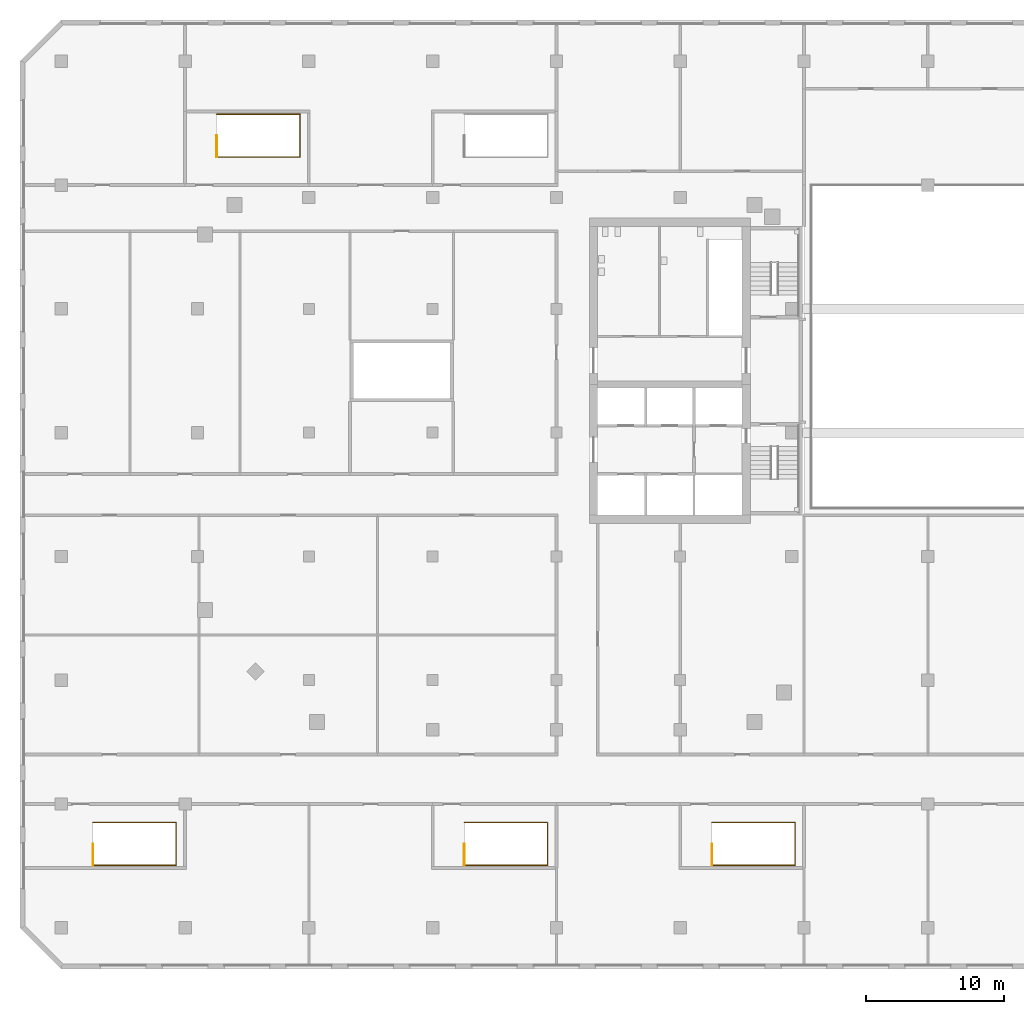
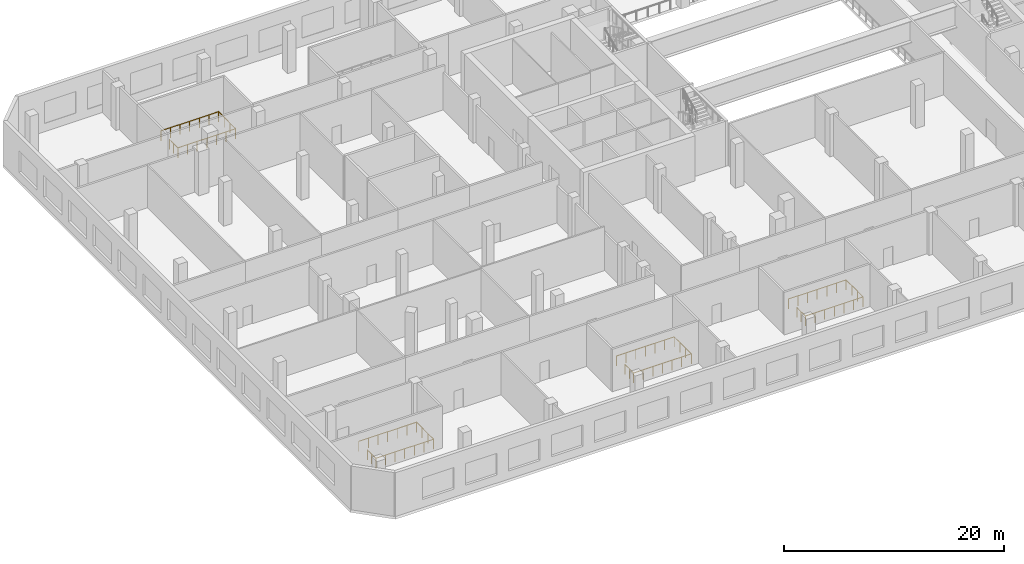
# One storey, part 16 of 20: 8 railings.
"""IFC4 building model written with IfcOpenShell, lengths in metres."""

import ifcopenshell
import ifcopenshell.guid

model = None  # the IFC model being written
_history = None  # IfcOwnerHistory: only IFC2X3 demands one
_inside = {}  # id of a spatial element -> (the spatial element, [elements in it])
_under = {}  # id of a project, library or spatial element -> (it, [spatial elements below it])
_declared = {}  # id of a project -> (the project, [libraries it declares])
_typed = {}  # id of a type object -> (the type object, [elements of that type])
_made_of = {}  # id of a material, layer set ... -> (it, [elements and type objects made of it])


def new_model(schema):
    """Start an empty IFC model of exactly this schema.

    Asked for "IFC4X3", IfcOpenShell would pick the latest addendum, in which some entities
    have other attributes; the version numbers below select the first issue.
    IFC2X3 requires an IfcOwnerHistory on every rooted entity: one is made here for all.
    """
    global model, _history
    if schema == "IFC4X3":
        model = ifcopenshell.file(schema_version=(4, 3, 0, 0))
    else:
        model = ifcopenshell.file(schema=schema)
    _inside.clear()
    _under.clear()
    _declared.clear()
    _typed.clear()
    _made_of.clear()
    _history = None
    if model.schema == "IFC2X3":
        org = make("IfcOrganization", Name="unknown")
        user = make(
            "IfcPersonAndOrganization",
            ThePerson=make("IfcPerson", FamilyName="unknown"),
            TheOrganization=org,
        )
        app = make(
            "IfcApplication",
            ApplicationDeveloper=org,
            Version="unknown",
            ApplicationFullName="unknown",
            ApplicationIdentifier="unknown",
        )
        _history = make(
            "IfcOwnerHistory",
            OwningUser=user,
            OwningApplication=app,
            ChangeAction="ADDED",
            CreationDate=0,
        )
    return model


def make(cls, **values):
    """One entity of the class cls with the attributes given. An attribute that is None is left unset."""
    return model.create_entity(
        cls, **{name: value for name, value in values.items() if value is not None}
    )


def rooted(cls, **values):
    """An entity with a GlobalId (a new one), such as an element, a storey or a relation."""
    return make(cls, GlobalId=ifcopenshell.guid.new(), OwnerHistory=_history, **values)


def si_unit(unit_type, name, prefix=None):
    """IfcSIUnit, for example si_unit("LENGTHUNIT", "METRE", prefix="MILLI")."""
    return make("IfcSIUnit", UnitType=unit_type, Prefix=prefix, Name=name)


def assignment(units):
    """IfcUnitAssignment: the units of a project."""
    return None if units is None else make("IfcUnitAssignment", Units=units)


def point(xyz):
    """IfcCartesianPoint."""
    return None if xyz is None else make("IfcCartesianPoint", Coordinates=xyz)


def direction(xyz):
    """IfcDirection."""
    return None if xyz is None else make("IfcDirection", DirectionRatios=xyz)


def frame(location, z_axis=None, x_axis=None):
    """IfcAxis2Placement3D, a coordinate frame: its origin and axes. An axis left out is left unset."""
    return make(
        "IfcAxis2Placement3D",
        Location=point(location),
        Axis=direction(z_axis),
        RefDirection=direction(x_axis),
    )


def frame_2d(location, x_axis=None):
    """IfcAxis2Placement2D, a coordinate frame in the plane: its origin and x axis."""
    return make(
        "IfcAxis2Placement2D", Location=point(location), RefDirection=direction(x_axis)
    )


def origin():
    """The frame at (0, 0, 0) with its axes left unset."""
    return frame((0.0, 0.0, 0.0))


def origin_2d():
    """The frame at (0, 0) in the plane with its x axis left unset."""
    return frame_2d((0.0, 0.0))


def place(relative_to, where):
    """IfcLocalPlacement: puts the frame where relative to a parent placement (None: the world)."""
    return make(
        "IfcLocalPlacement", PlacementRelTo=relative_to, RelativePlacement=where
    )


def context(
    kind, dimensions, precision=None, world=None, true_north=None, identifier=None
):
    """IfcGeometricRepresentationContext, for example the 3D "Model" context."""
    return make(
        "IfcGeometricRepresentationContext",
        ContextIdentifier=identifier,
        ContextType=kind,
        CoordinateSpaceDimension=dimensions,
        Precision=precision,
        WorldCoordinateSystem=world,
        TrueNorth=true_north,
    )


def subcontext(parent, identifier, kind, view, scale=None):
    """IfcGeometricRepresentationSubContext, for example "Body" below "Model"."""
    return make(
        "IfcGeometricRepresentationSubContext",
        ContextIdentifier=identifier,
        ContextType=kind,
        ParentContext=parent,
        TargetScale=scale,
        TargetView=view,
    )


def project(units=None, contexts=None):
    """IfcProject with its units and contexts."""
    return rooted(
        "IfcProject",
        Name="project",
        RepresentationContexts=contexts,
        UnitsInContext=assignment(units),
    )


def spatial(cls, under=None, at=None, **own):
    """A site, building, storey or space (cls), placed at a placement, below another one or the project."""
    s = rooted(cls, ObjectPlacement=at, **own)
    if under is not None:
        _under.setdefault(under.id(), (under, []))[1].append(s)
    return s


def profile(cls, at=None, kind="AREA", **sizes):
    """A parametric profile (cls). Its sizes go by their IFC names, for example OverallWidth=200.0."""
    return make(cls, ProfileType=kind, Position=at, **sizes)


def circle(**sizes):
    """IfcCircleProfileDef."""
    return profile("IfcCircleProfileDef", **sizes)


def extrude(swept, where, along, depth):
    """IfcExtrudedAreaSolid: the profile swept, set in the frame where, extruded along a direction by depth."""
    return make(
        "IfcExtrudedAreaSolid",
        SweptArea=swept,
        Position=where,
        ExtrudedDirection=direction(along),
        Depth=depth,
    )


def shape(context_of_items, identifier, shape_type, items):
    """IfcShapeRepresentation: the items that make up one representation, for example the "Body"."""
    return make(
        "IfcShapeRepresentation",
        ContextOfItems=context_of_items,
        RepresentationIdentifier=identifier,
        RepresentationType=shape_type,
        Items=items,
    )


def material(Name=None, Category=None):
    """IfcMaterial."""
    return make("IfcMaterial", Name=Name, Category=Category)


def made_of(thing, what):
    """Note that an element or type object is made of a material, layer set ...; save() writes the relation."""
    if what is not None:
        _made_of.setdefault(what.id(), (what, []))[1].append(thing)
    return thing


def type_object(cls, material=None, **own):
    """A type object (cls), such as IfcWallType, which elements share."""
    return made_of(rooted(cls, **own), material)


def element(
    cls,
    number,
    at=None,
    inside=None,
    cuts=None,
    type_object=None,
    material=None,
    context=None,
    identifier="Body",
    shape_type=None,
    held_by="IfcProductDefinitionShape",
    body=None,
    shapes=None,
    **own,
):
    """One element of the class cls, such as IfcWall. Its Tag is "e" and its number.

    at: its placement. inside: the storey or other place that contains it. cuts: it is an
    opening in that element (IfcRelVoidsElement). A single representation is given by context,
    identifier, shape_type and body (its items); several are given by shapes. held_by: the class
    of the entity that holds the representations. save() writes the other relations.
    """
    e = rooted(cls, Tag="e%d" % number, ObjectPlacement=at, **own)
    if body is not None:
        shapes = [shape(context, identifier, shape_type, body)]
    if shapes is not None:
        e.Representation = make(held_by, Representations=shapes)
    if inside is not None:
        _inside.setdefault(inside.id(), (inside, []))[1].append(e)
    if cuts is not None:
        rooted(
            "IfcRelVoidsElement", RelatingBuildingElement=cuts, RelatedOpeningElement=e
        )
    if type_object is not None:
        _typed.setdefault(type_object.id(), (type_object, []))[1].append(e)
    return made_of(e, material)


def aggregate(whole, parts):
    """IfcRelAggregates: a whole, such as a stair, and the parts it consists of."""
    return rooted("IfcRelAggregates", RelatingObject=whole, RelatedObjects=parts)


def save(model, path):
    """Write the relations noted so far, then the file.

    IfcRelAggregates (storeys below a building ...), IfcRelContainedInSpatialStructure (elements
    in a storey), IfcRelDefinesByType, IfcRelAssociatesMaterial and IfcRelDeclares: one each for
    every whole, place, type object, material and project.
    """
    for whole, parts in _under.values():
        aggregate(whole, parts)
    for where, things in _inside.values():
        rooted(
            "IfcRelContainedInSpatialStructure",
            RelatedElements=things,
            RelatingStructure=where,
        )
    for kind, things in _typed.values():
        rooted("IfcRelDefinesByType", RelatedObjects=things, RelatingType=kind)
    for what, things in _made_of.values():
        rooted("IfcRelAssociatesMaterial", RelatedObjects=things, RelatingMaterial=what)
    for by, libraries in _declared.values():
        rooted("IfcRelDeclares", RelatingContext=by, RelatedDefinitions=libraries)
    model.write(path)


model = new_model("IFC4")

# Units and contexts
model_context = context("Model", 3, precision=1e-05, world=origin(), true_north=direction((0.0, 1.0)))
body_context = subcontext(model_context, "Body", "Model", "MODEL_VIEW")
ifc_project = project(units=[si_unit("LENGTHUNIT", "METRE"), si_unit("AREAUNIT", "SQUARE_METRE"), si_unit("VOLUMEUNIT", "CUBIC_METRE"), si_unit("PLANEANGLEUNIT", "RADIAN"), si_unit("MASSUNIT", "GRAM", prefix="KILO")], contexts=[model_context])

# Site, building, storey
site_placement = place(None, origin())
site = spatial("IfcSite", under=ifc_project, at=site_placement, CompositionType="ELEMENT")
building_placement = place(site_placement, origin())
building = spatial("IfcBuilding", under=site, at=building_placement, Name="Cinnabar Reach Civic Tower", CompositionType="ELEMENT")
storey_placement = place(building_placement, frame((0.0, 0.0, 21.0)))
storey = spatial("IfcBuildingStorey", under=building, at=storey_placement, Name="L04", CompositionType="ELEMENT", Elevation=21.0)

# Railings
ifc_material = material(Name="Stainless steel and glass", Category="steel")
railing_type = type_object("IfcRailingType", Name="Podium guard 1100", PredefinedType="GUARDRAIL", material=ifc_material)
railing_1_placement = place(storey_placement, frame((-78.7, -4.45, 0.0)))
element("IfcRailing", 1, at=railing_1_placement, inside=storey, type_object=railing_type, Name="Stair well guard PS1 L04", PredefinedType="GUARDRAIL", context=body_context, shape_type="SweptSolid", body=[
    extrude(circle(Radius=0.024, at=origin_2d()), frame((0.0, 0.0, 1.076), z_axis=(1.0, 0.0, 0.0), x_axis=(0.0, 1.0, 0.0)), (0.0, 0.0, 1.0), 6.05),
    extrude(circle(Radius=0.024, at=origin_2d()), frame((6.05, 0.0, 1.076), z_axis=(0.0, 1.0, 0.0), x_axis=(-1.0, 0.0, 0.0)), (0.0, 0.0, 1.0), 3.1),
    extrude(circle(Radius=0.024, at=origin_2d()), frame((6.05, 3.1, 1.076), z_axis=(-1.0, 0.0, 0.0), x_axis=(0.0, -1.0, 0.0)), (0.0, 0.0, 1.0), 6.05),
    extrude(circle(Radius=0.021, at=origin_2d()), origin(), (0.0, 0.0, 1.0), 1.052),
    extrude(circle(Radius=0.021, at=origin_2d()), frame((1.0083, 0.0, 0.0)), (0.0, 0.0, 1.0), 1.052),
    extrude(circle(Radius=0.021, at=origin_2d()), frame((2.0167, 0.0, 0.0)), (0.0, 0.0, 1.0), 1.052),
    extrude(circle(Radius=0.021, at=origin_2d()), frame((3.025, 0.0, 0.0)), (0.0, 0.0, 1.0), 1.052),
    extrude(circle(Radius=0.021, at=origin_2d()), frame((4.0333, 0.0, 0.0)), (0.0, 0.0, 1.0), 1.052),
    extrude(circle(Radius=0.021, at=origin_2d()), frame((5.0417, 0.0, 0.0)), (0.0, 0.0, 1.0), 1.052),
    extrude(circle(Radius=0.021, at=origin_2d()), frame((6.05, 0.0, 0.0)), (0.0, 0.0, 1.0), 1.052),
    extrude(circle(Radius=0.021, at=origin_2d()), frame((6.05, 1.0333, 0.0)), (0.0, 0.0, 1.0), 1.052),
    extrude(circle(Radius=0.021, at=origin_2d()), frame((6.05, 2.0667, 0.0)), (0.0, 0.0, 1.0), 1.052),
    extrude(circle(Radius=0.021, at=origin_2d()), frame((6.05, 3.1, 0.0)), (0.0, 0.0, 1.0), 1.052),
    extrude(circle(Radius=0.021, at=origin_2d()), frame((5.0417, 3.1, 0.0)), (0.0, 0.0, 1.0), 1.052),
    extrude(circle(Radius=0.021, at=origin_2d()), frame((4.0333, 3.1, 0.0)), (0.0, 0.0, 1.0), 1.052),
    extrude(circle(Radius=0.021, at=origin_2d()), frame((3.025, 3.1, 0.0)), (0.0, 0.0, 1.0), 1.052),
    extrude(circle(Radius=0.021, at=origin_2d()), frame((2.0167, 3.1, 0.0)), (0.0, 0.0, 1.0), 1.052),
    extrude(circle(Radius=0.021, at=origin_2d()), frame((1.0083, 3.1, 0.0)), (0.0, 0.0, 1.0), 1.052),
    extrude(circle(Radius=0.021, at=origin_2d()), frame((0.0, 3.1, 0.0)), (0.0, 0.0, 1.0), 1.052),
])
railing_2_placement = place(storey_placement, frame((-78.7, -4.45, 0.0)))
element("IfcRailing", 2, at=railing_2_placement, inside=storey, type_object=railing_type, Name="Stair top guard PS1 L04", PredefinedType="GUARDRAIL", context=body_context, shape_type="SweptSolid", body=[
    extrude(circle(Radius=0.024, at=origin_2d()), frame((0.0, 0.0, 1.076), z_axis=(0.0, 1.0, 0.0), x_axis=(-1.0, 0.0, 0.0)), (0.0, 0.0, 1.0), 1.55),
    extrude(circle(Radius=0.021, at=origin_2d()), origin(), (0.0, 0.0, 1.0), 1.052),
    extrude(circle(Radius=0.021, at=origin_2d()), frame((0.0, 0.775, 0.0)), (0.0, 0.0, 1.0), 1.052),
    extrude(circle(Radius=0.021, at=origin_2d()), frame((0.0, 1.55, 0.0)), (0.0, 0.0, 1.0), 1.052),
])
railing_3_placement = place(storey_placement, frame((-69.7, 47.05, 0.0)))
element("IfcRailing", 3, at=railing_3_placement, inside=storey, type_object=railing_type, Name="Stair well guard PS2 L04", PredefinedType="GUARDRAIL", context=body_context, shape_type="SweptSolid", body=[
    extrude(circle(Radius=0.024, at=origin_2d()), frame((0.0, 0.0, 1.076), z_axis=(1.0, 0.0, 0.0), x_axis=(0.0, 1.0, 0.0)), (0.0, 0.0, 1.0), 6.05),
    extrude(circle(Radius=0.024, at=origin_2d()), frame((6.05, 0.0, 1.076), z_axis=(0.0, 1.0, 0.0), x_axis=(-1.0, 0.0, 0.0)), (0.0, 0.0, 1.0), 3.1),
    extrude(circle(Radius=0.024, at=origin_2d()), frame((6.05, 3.1, 1.076), z_axis=(-1.0, 0.0, 0.0), x_axis=(0.0, -1.0, 0.0)), (0.0, 0.0, 1.0), 6.05),
    extrude(circle(Radius=0.021, at=origin_2d()), origin(), (0.0, 0.0, 1.0), 1.052),
    extrude(circle(Radius=0.021, at=origin_2d()), frame((1.0083, 0.0, 0.0)), (0.0, 0.0, 1.0), 1.052),
    extrude(circle(Radius=0.021, at=origin_2d()), frame((2.0167, 0.0, 0.0)), (0.0, 0.0, 1.0), 1.052),
    extrude(circle(Radius=0.021, at=origin_2d()), frame((3.025, 0.0, 0.0)), (0.0, 0.0, 1.0), 1.052),
    extrude(circle(Radius=0.021, at=origin_2d()), frame((4.0333, 0.0, 0.0)), (0.0, 0.0, 1.0), 1.052),
    extrude(circle(Radius=0.021, at=origin_2d()), frame((5.0417, 0.0, 0.0)), (0.0, 0.0, 1.0), 1.052),
    extrude(circle(Radius=0.021, at=origin_2d()), frame((6.05, 0.0, 0.0)), (0.0, 0.0, 1.0), 1.052),
    extrude(circle(Radius=0.021, at=origin_2d()), frame((6.05, 1.0333, 0.0)), (0.0, 0.0, 1.0), 1.052),
    extrude(circle(Radius=0.021, at=origin_2d()), frame((6.05, 2.0667, 0.0)), (0.0, 0.0, 1.0), 1.052),
    extrude(circle(Radius=0.021, at=origin_2d()), frame((6.05, 3.1, 0.0)), (0.0, 0.0, 1.0), 1.052),
    extrude(circle(Radius=0.021, at=origin_2d()), frame((5.0417, 3.1, 0.0)), (0.0, 0.0, 1.0), 1.052),
    extrude(circle(Radius=0.021, at=origin_2d()), frame((4.0333, 3.1, 0.0)), (0.0, 0.0, 1.0), 1.052),
    extrude(circle(Radius=0.021, at=origin_2d()), frame((3.025, 3.1, 0.0)), (0.0, 0.0, 1.0), 1.052),
    extrude(circle(Radius=0.021, at=origin_2d()), frame((2.0167, 3.1, 0.0)), (0.0, 0.0, 1.0), 1.052),
    extrude(circle(Radius=0.021, at=origin_2d()), frame((1.0083, 3.1, 0.0)), (0.0, 0.0, 1.0), 1.052),
    extrude(circle(Radius=0.021, at=origin_2d()), frame((0.0, 3.1, 0.0)), (0.0, 0.0, 1.0), 1.052),
])
railing_4_placement = place(storey_placement, frame((-69.7, 47.05, 0.0)))
element("IfcRailing", 4, at=railing_4_placement, inside=storey, type_object=railing_type, Name="Stair top guard PS2 L04", PredefinedType="GUARDRAIL", context=body_context, shape_type="SweptSolid", body=[
    extrude(circle(Radius=0.024, at=origin_2d()), frame((0.0, 0.0, 1.076), z_axis=(0.0, 1.0, 0.0), x_axis=(-1.0, 0.0, 0.0)), (0.0, 0.0, 1.0), 1.55),
    extrude(circle(Radius=0.021, at=origin_2d()), origin(), (0.0, 0.0, 1.0), 1.052),
    extrude(circle(Radius=0.021, at=origin_2d()), frame((0.0, 0.775, 0.0)), (0.0, 0.0, 1.0), 1.052),
    extrude(circle(Radius=0.021, at=origin_2d()), frame((0.0, 1.55, 0.0)), (0.0, 0.0, 1.0), 1.052),
])
railing_5_placement = place(storey_placement, frame((-51.7, -4.45, 0.0)))
element("IfcRailing", 5, at=railing_5_placement, inside=storey, type_object=railing_type, Name="Stair well guard PS8 L04", PredefinedType="GUARDRAIL", context=body_context, shape_type="SweptSolid", body=[
    extrude(circle(Radius=0.024, at=origin_2d()), frame((0.0, 0.0, 1.076), z_axis=(1.0, 0.0, 0.0), x_axis=(0.0, 1.0, 0.0)), (0.0, 0.0, 1.0), 6.05),
    extrude(circle(Radius=0.024, at=origin_2d()), frame((6.05, 0.0, 1.076), z_axis=(0.0, 1.0, 0.0), x_axis=(-1.0, 0.0, 0.0)), (0.0, 0.0, 1.0), 3.1),
    extrude(circle(Radius=0.024, at=origin_2d()), frame((6.05, 3.1, 1.076), z_axis=(-1.0, 0.0, 0.0), x_axis=(0.0, -1.0, 0.0)), (0.0, 0.0, 1.0), 6.05),
    extrude(circle(Radius=0.021, at=origin_2d()), origin(), (0.0, 0.0, 1.0), 1.052),
    extrude(circle(Radius=0.021, at=origin_2d()), frame((1.0083, 0.0, 0.0)), (0.0, 0.0, 1.0), 1.052),
    extrude(circle(Radius=0.021, at=origin_2d()), frame((2.0167, 0.0, 0.0)), (0.0, 0.0, 1.0), 1.052),
    extrude(circle(Radius=0.021, at=origin_2d()), frame((3.025, 0.0, 0.0)), (0.0, 0.0, 1.0), 1.052),
    extrude(circle(Radius=0.021, at=origin_2d()), frame((4.0333, 0.0, 0.0)), (0.0, 0.0, 1.0), 1.052),
    extrude(circle(Radius=0.021, at=origin_2d()), frame((5.0417, 0.0, 0.0)), (0.0, 0.0, 1.0), 1.052),
    extrude(circle(Radius=0.021, at=origin_2d()), frame((6.05, 0.0, 0.0)), (0.0, 0.0, 1.0), 1.052),
    extrude(circle(Radius=0.021, at=origin_2d()), frame((6.05, 1.0333, 0.0)), (0.0, 0.0, 1.0), 1.052),
    extrude(circle(Radius=0.021, at=origin_2d()), frame((6.05, 2.0667, 0.0)), (0.0, 0.0, 1.0), 1.052),
    extrude(circle(Radius=0.021, at=origin_2d()), frame((6.05, 3.1, 0.0)), (0.0, 0.0, 1.0), 1.052),
    extrude(circle(Radius=0.021, at=origin_2d()), frame((5.0417, 3.1, 0.0)), (0.0, 0.0, 1.0), 1.052),
    extrude(circle(Radius=0.021, at=origin_2d()), frame((4.0333, 3.1, 0.0)), (0.0, 0.0, 1.0), 1.052),
    extrude(circle(Radius=0.021, at=origin_2d()), frame((3.025, 3.1, 0.0)), (0.0, 0.0, 1.0), 1.052),
    extrude(circle(Radius=0.021, at=origin_2d()), frame((2.0167, 3.1, 0.0)), (0.0, 0.0, 1.0), 1.052),
    extrude(circle(Radius=0.021, at=origin_2d()), frame((1.0083, 3.1, 0.0)), (0.0, 0.0, 1.0), 1.052),
    extrude(circle(Radius=0.021, at=origin_2d()), frame((0.0, 3.1, 0.0)), (0.0, 0.0, 1.0), 1.052),
])
railing_6_placement = place(storey_placement, frame((-51.7, -4.45, 0.0)))
element("IfcRailing", 6, at=railing_6_placement, inside=storey, type_object=railing_type, Name="Stair top guard PS8 L04", PredefinedType="GUARDRAIL", context=body_context, shape_type="SweptSolid", body=[
    extrude(circle(Radius=0.024, at=origin_2d()), frame((0.0, 0.0, 1.076), z_axis=(0.0, 1.0, 0.0), x_axis=(-1.0, 0.0, 0.0)), (0.0, 0.0, 1.0), 1.55),
    extrude(circle(Radius=0.021, at=origin_2d()), origin(), (0.0, 0.0, 1.0), 1.052),
    extrude(circle(Radius=0.021, at=origin_2d()), frame((0.0, 0.775, 0.0)), (0.0, 0.0, 1.0), 1.052),
    extrude(circle(Radius=0.021, at=origin_2d()), frame((0.0, 1.55, 0.0)), (0.0, 0.0, 1.0), 1.052),
])
railing_7_placement = place(storey_placement, frame((-33.7, -4.45, 0.0)))
element("IfcRailing", 7, at=railing_7_placement, inside=storey, type_object=railing_type, Name="Stair well guard PS9 L04", PredefinedType="GUARDRAIL", context=body_context, shape_type="SweptSolid", body=[
    extrude(circle(Radius=0.024, at=origin_2d()), frame((0.0, 0.0, 1.076), z_axis=(1.0, 0.0, 0.0), x_axis=(0.0, 1.0, 0.0)), (0.0, 0.0, 1.0), 6.05),
    extrude(circle(Radius=0.024, at=origin_2d()), frame((6.05, 0.0, 1.076), z_axis=(0.0, 1.0, 0.0), x_axis=(-1.0, 0.0, 0.0)), (0.0, 0.0, 1.0), 3.1),
    extrude(circle(Radius=0.024, at=origin_2d()), frame((6.05, 3.1, 1.076), z_axis=(-1.0, 0.0, 0.0), x_axis=(0.0, -1.0, 0.0)), (0.0, 0.0, 1.0), 6.05),
    extrude(circle(Radius=0.021, at=origin_2d()), origin(), (0.0, 0.0, 1.0), 1.052),
    extrude(circle(Radius=0.021, at=origin_2d()), frame((1.0083, 0.0, 0.0)), (0.0, 0.0, 1.0), 1.052),
    extrude(circle(Radius=0.021, at=origin_2d()), frame((2.0167, 0.0, 0.0)), (0.0, 0.0, 1.0), 1.052),
    extrude(circle(Radius=0.021, at=origin_2d()), frame((3.025, 0.0, 0.0)), (0.0, 0.0, 1.0), 1.052),
    extrude(circle(Radius=0.021, at=origin_2d()), frame((4.0333, 0.0, 0.0)), (0.0, 0.0, 1.0), 1.052),
    extrude(circle(Radius=0.021, at=origin_2d()), frame((5.0417, 0.0, 0.0)), (0.0, 0.0, 1.0), 1.052),
    extrude(circle(Radius=0.021, at=origin_2d()), frame((6.05, 0.0, 0.0)), (0.0, 0.0, 1.0), 1.052),
    extrude(circle(Radius=0.021, at=origin_2d()), frame((6.05, 1.0333, 0.0)), (0.0, 0.0, 1.0), 1.052),
    extrude(circle(Radius=0.021, at=origin_2d()), frame((6.05, 2.0667, 0.0)), (0.0, 0.0, 1.0), 1.052),
    extrude(circle(Radius=0.021, at=origin_2d()), frame((6.05, 3.1, 0.0)), (0.0, 0.0, 1.0), 1.052),
    extrude(circle(Radius=0.021, at=origin_2d()), frame((5.0417, 3.1, 0.0)), (0.0, 0.0, 1.0), 1.052),
    extrude(circle(Radius=0.021, at=origin_2d()), frame((4.0333, 3.1, 0.0)), (0.0, 0.0, 1.0), 1.052),
    extrude(circle(Radius=0.021, at=origin_2d()), frame((3.025, 3.1, 0.0)), (0.0, 0.0, 1.0), 1.052),
    extrude(circle(Radius=0.021, at=origin_2d()), frame((2.0167, 3.1, 0.0)), (0.0, 0.0, 1.0), 1.052),
    extrude(circle(Radius=0.021, at=origin_2d()), frame((1.0083, 3.1, 0.0)), (0.0, 0.0, 1.0), 1.052),
    extrude(circle(Radius=0.021, at=origin_2d()), frame((0.0, 3.1, 0.0)), (0.0, 0.0, 1.0), 1.052),
])
railing_8_placement = place(storey_placement, frame((-33.7, -4.45, 0.0)))
element("IfcRailing", 8, at=railing_8_placement, inside=storey, type_object=railing_type, Name="Stair top guard PS9 L04", PredefinedType="GUARDRAIL", context=body_context, shape_type="SweptSolid", body=[
    extrude(circle(Radius=0.024, at=origin_2d()), frame((0.0, 0.0, 1.076), z_axis=(0.0, 1.0, 0.0), x_axis=(-1.0, 0.0, 0.0)), (0.0, 0.0, 1.0), 1.55),
    extrude(circle(Radius=0.021, at=origin_2d()), origin(), (0.0, 0.0, 1.0), 1.052),
    extrude(circle(Radius=0.021, at=origin_2d()), frame((0.0, 0.775, 0.0)), (0.0, 0.0, 1.0), 1.052),
    extrude(circle(Radius=0.021, at=origin_2d()), frame((0.0, 1.55, 0.0)), (0.0, 0.0, 1.0), 1.052),
])

save(model, "model.ifc")
